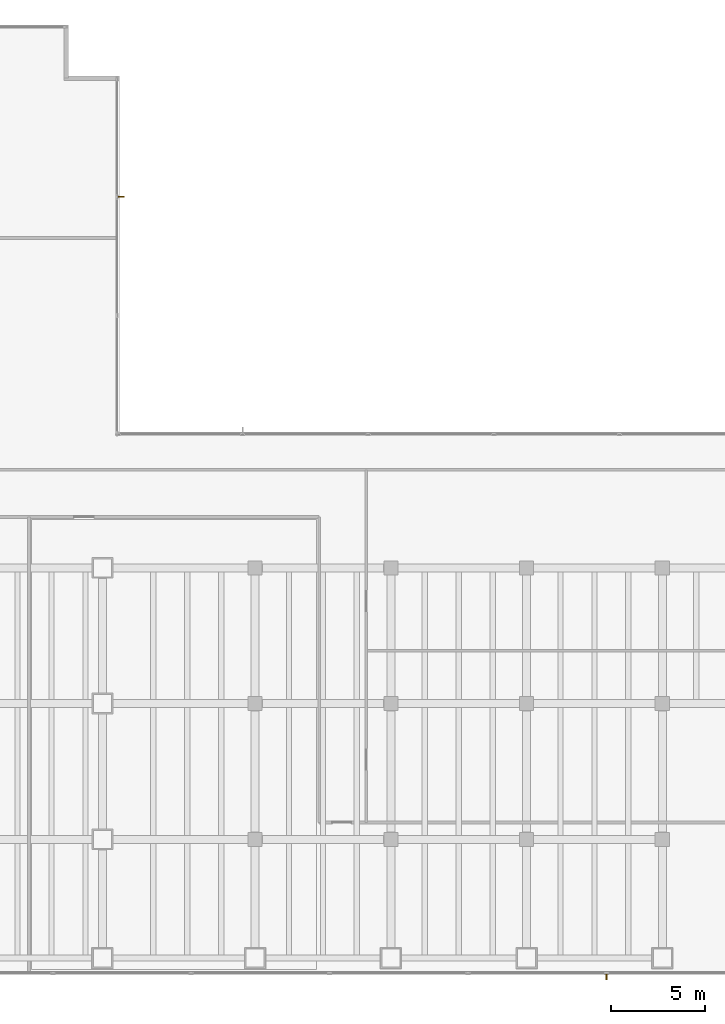
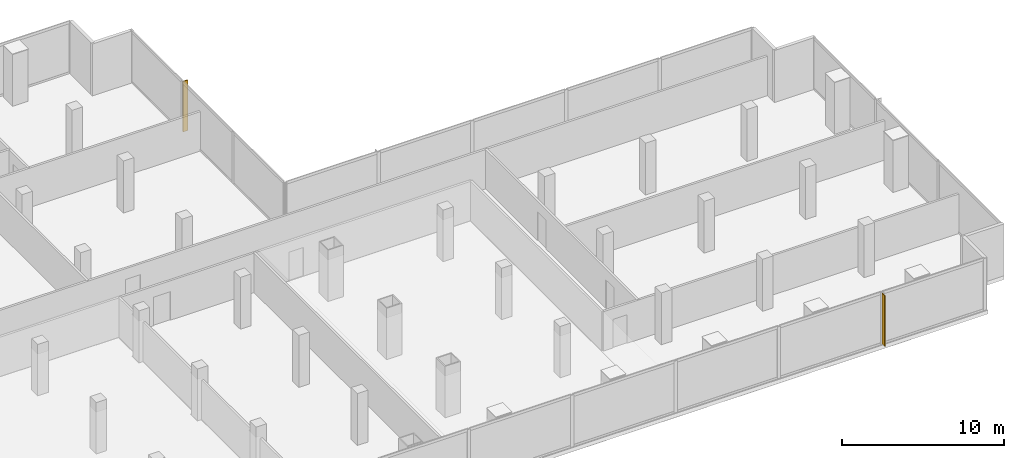
# One storey, part 31 of 32: 2 shading devices.
"""IFC4 building model written with IfcOpenShell, lengths in metres."""

from ifc_helpers import new_model, si_unit, direction, frame, origin, place, context, subcontext, project, spatial, polyline, outline, extrude, material, layer, layer_set, type_object, element, save


model = new_model("IFC4")

# Units and contexts
model_context = context("Model", 3, precision=1e-05, world=origin(), true_north=direction((0.0, 1.0)))
body_context = subcontext(model_context, "Body", "Model", "MODEL_VIEW")
ifc_project = project(units=[si_unit("LENGTHUNIT", "METRE"), si_unit("AREAUNIT", "SQUARE_METRE"), si_unit("VOLUMEUNIT", "CUBIC_METRE"), si_unit("PLANEANGLEUNIT", "RADIAN"), si_unit("MASSUNIT", "GRAM", prefix="KILO")], contexts=[model_context])

# Site, building, storey
site_placement = place(None, origin())
site = spatial("IfcSite", under=ifc_project, at=site_placement, CompositionType="ELEMENT")
building_placement = place(site_placement, origin())
building = spatial("IfcBuilding", under=site, at=building_placement, Name="Cobrela Telecom Tower", CompositionType="ELEMENT")
storey_placement = place(building_placement, frame((0.0, 0.0, 22.050048828125)))
storey = spatial("IfcBuildingStorey", under=building, at=storey_placement, Name="L05", CompositionType="ELEMENT", Elevation=22.050048828125)

# Shading devices
ifc_material = material(Name="Anodized Bronze Aluminium 6063-T6", Category="aluminium")
ifc_layer = layer(ifc_material, 0.06005859375)
ifc_layer_set = layer_set([ifc_layer], Name="Anodized Bronze Aluminium 6063-T6")
shading_device_type = type_object("IfcShadingDeviceType", Name="SHD-FIN-BRZ", PredefinedType="USERDEFINED", material=ifc_layer_set)
shading_device_1_placement = place(storey_placement, frame((0.0, 0.0, 0.050048828125)))
element("IfcShadingDevice", 1, at=shading_device_1_placement, inside=storey, type_object=shading_device_type, Name="L05 Anodized Bronze Solar Fin 07", ObjectType="SUNSHADE", PredefinedType="USERDEFINED", context=body_context, shape_type="SweptSolid", body=[
    extrude(outline(polyline([(50.320068359375, 41.31005859375), (50.320068359375, 41.25), (50.659912109375, 41.25), (50.659912109375, 41.31005859375), (50.320068359375, 41.31005859375)])), origin(), (0.0, 0.0, 1.0), 3.7998046875),
])
shading_device_2_placement = place(storey_placement, frame((0.0, 0.0, 0.050048828125)))
element("IfcShadingDevice", 2, at=shading_device_2_placement, inside=storey, type_object=shading_device_type, Name="L05 Anodized Bronze Solar Fin 10", ObjectType="SUNSHADE", PredefinedType="USERDEFINED", context=body_context, shape_type="SweptSolid", body=[
    extrude(outline(polyline([(76.268310546875, 0.080078125), (76.208251953125, 0.080078125), (76.208251953125, -0.260009765625), (76.268310546875, -0.260009765625), (76.268310546875, 0.080078125)])), origin(), (0.0, 0.0, 1.0), 3.7998046875),
])

save(model, "model.ifc")
